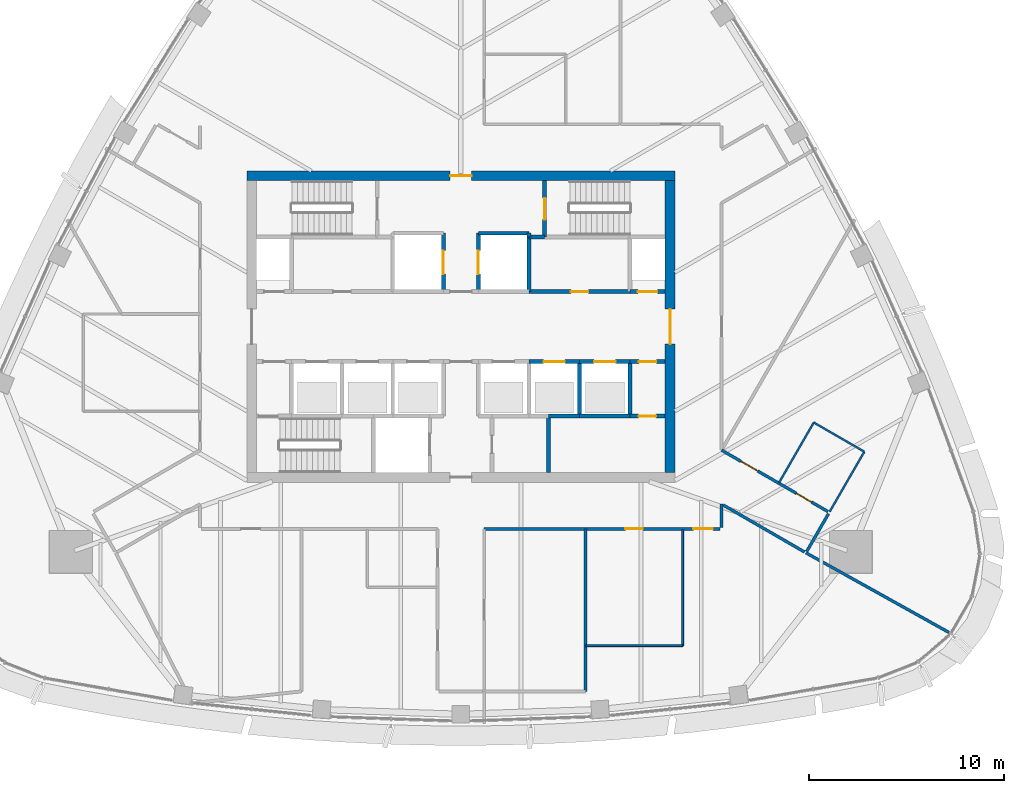
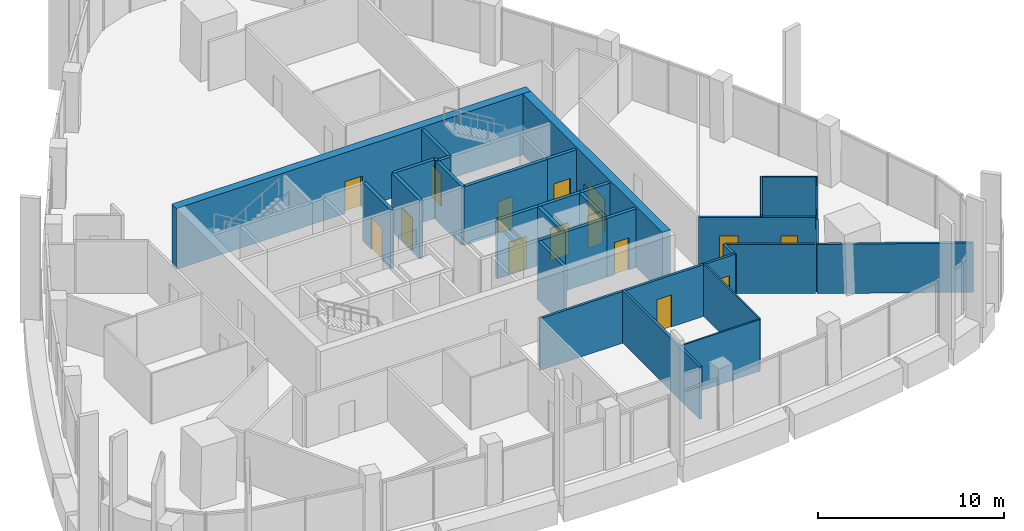
# One storey, part 10 of 19: 32 walls, 15 doors, 15 openings.
"""IFC4 building model written with IfcOpenShell, lengths in metres."""

from ifc_helpers import new_model, si_unit, direction, frame, frame_2d, origin, place, context, subcontext, project, spatial, rectangle, extrude, material, layer, layer_set, type_object, element, fill, save


model = new_model("IFC4")

# Units and contexts
model_context = context("Model", 3, precision=1e-05, world=origin(), true_north=direction((0.0, 1.0)))
body_context = subcontext(model_context, "Body", "Model", "MODEL_VIEW")
ifc_project = project(units=[si_unit("LENGTHUNIT", "METRE"), si_unit("AREAUNIT", "SQUARE_METRE"), si_unit("VOLUMEUNIT", "CUBIC_METRE"), si_unit("PLANEANGLEUNIT", "RADIAN"), si_unit("MASSUNIT", "GRAM", prefix="KILO")], contexts=[model_context])

# Site, building, storey
site_placement = place(None, origin())
site = spatial("IfcSite", under=ifc_project, at=site_placement, CompositionType="ELEMENT")
building_placement = place(site_placement, origin())
building = spatial("IfcBuilding", under=site, at=building_placement, Name="Sierra Prisma Convention Tower", CompositionType="ELEMENT")
storey_placement = place(building_placement, frame((0.0, 0.0, 311.0)))
storey = spatial("IfcBuildingStorey", under=building, at=storey_placement, Name="L71", CompositionType="ELEMENT", Elevation=311.0)

# Walls
ifc_material_1 = material(Name="Gypsum board partition", Category="gypsum")
ifc_layer_1 = layer(ifc_material_1, 0.10009765625)
ifc_layer_set_1 = layer_set([ifc_layer_1], Name="Bathroom partition 100")
wall_type_1 = type_object("IfcWallType", Name="Bathroom partition 100", PredefinedType="PARTITIONING", material=ifc_layer_set_1)
wall_1_placement = place(storey_placement, frame((11.39990234375, -10.429931640625, 0.0), z_axis=(0.0, 0.0, 1.0), x_axis=(0.0, -1.0, 0.0)))
element("IfcWall", 1, at=wall_1_placement, inside=storey, type_object=wall_type_1, Name="Partition L71 bath 8", PredefinedType="PARTITIONING", context=body_context, shape_type="SweptSolid", body=[
    extrude(rectangle(XDim=5.969970703125, YDim=0.10009765625, at=frame_2d((2.98486328125, 0.0))), origin(), (0.0, 0.0, 1.0), 3.449951171875),
])
wall_2_placement = place(storey_placement, frame((11.39990234375, -16.39990234375, 0.0), z_axis=(0.0, 0.0, 1.0), x_axis=(-1.0, 0.0, 0.0)))
element("IfcWall", 2, at=wall_2_placement, inside=storey, type_object=wall_type_1, Name="Partition L71 bath 9", PredefinedType="PARTITIONING", context=body_context, shape_type="SweptSolid", body=[
    extrude(rectangle(XDim=4.969970703125, YDim=0.10009765625, at=frame_2d((2.48486328125, 0.0))), origin(), (0.0, 0.0, 1.0), 3.39306640625),
])
wall_3_placement = place(storey_placement, frame((16.352294921875, -8.020751953125, 0.0), z_axis=(0.0, 0.0, 1.0), x_axis=(0.499971082179, 0.866042098853, 0.0)))
element("IfcWall", 3, at=wall_3_placement, inside=storey, type_object=wall_type_1, Name="Partition L71 bath 10", PredefinedType="PARTITIONING", context=body_context, shape_type="SweptSolid", body=[
    extrude(rectangle(XDim=3.570068359375, YDim=0.10009765625, at=frame_2d((1.78515625, 0.0))), origin(), (0.0, 0.0, 1.0), 3.449951171875),
])
wall_4_placement = place(storey_placement, frame((18.13720703125, -4.928955078125, 0.0), z_axis=(0.0, 0.0, 1.0), x_axis=(0.866031096941, -0.499990139034, 0.0)))
element("IfcWall", 4, at=wall_4_placement, inside=storey, type_object=wall_type_1, Name="Partition L71 bath 11", PredefinedType="PARTITIONING", context=body_context, shape_type="SweptSolid", body=[
    extrude(rectangle(XDim=3.0, YDim=0.10009765625, at=frame_2d((1.5, 0.0))), origin(), (0.0, 0.0, 1.0), 3.443115234375),
])
wall_5_placement = place(storey_placement, frame((20.7353515625, -6.428955078125, 0.0), z_axis=(0.0, 0.0, 1.0), x_axis=(-0.499971082179, -0.866042098853, 0.0)))
element("IfcWall", 5, at=wall_5_placement, inside=storey, type_object=wall_type_1, Name="Partition L71 bath 12", PredefinedType="PARTITIONING", context=body_context, shape_type="SweptSolid", body=[
    extrude(rectangle(XDim=3.570068359375, YDim=0.10009765625, at=frame_2d((1.78515625, 0.0))), origin(), (0.0, 0.0, 1.0), 3.449951171875),
])

# Wall, opening, door
ifc_material_2 = material(Name="Concrete C30/37", Category="concrete")
ifc_layer_2 = layer(ifc_material_2, 0.199951171875)
ifc_layer_set_2 = layer_set([ifc_layer_2], Name="Core wall RC 200 C30/37")
wall_type_2 = type_object("IfcWallType", Name="Core wall RC 200 C30/37", PredefinedType="SOLIDWALL", material=ifc_layer_set_2)
wall_6_placement = place(storey_placement, frame((-0.89990234375, 1.800048828125, 0.0), z_axis=(0.0, 0.0, 1.0), x_axis=(0.0, 1.0, 0.0)))
wall_6 = element("IfcWall", 6, at=wall_6_placement, inside=storey, type_object=wall_type_2, Name="Core wall L71 23", PredefinedType="SOLIDWALL", context=body_context, shape_type="SweptSolid", body=[
    extrude(rectangle(XDim=3.0, YDim=0.199951171875, at=frame_2d((1.5, 0.0))), origin(), (0.0, 0.0, 1.0), 3.85009765625),
])
opening_1_placement = place(wall_6_placement, frame((0.89990234375, 0.0, 0.0)))
opening_1 = element("IfcOpeningElement", 7, at=opening_1_placement, cuts=wall_6, Name="Opening L71-D007", PredefinedType="OPENING", context=body_context, shape_type="SweptSolid", body=[
    extrude(rectangle(XDim=1.199951171875, YDim=2.10009765625, at=frame_2d((0.60009765625, 1.050048828125))), frame((0.0, 0.10009765625, 0.0), z_axis=(0.0, -1.0, 0.0), x_axis=(1.0, 0.0, 0.0)), (0.0, 0.0, 1.0), 0.199951171875),
])
ifc_material_3 = material(Name="Steel fire door leaf", Category="steel")
door_type_1 = type_object("IfcDoorType", Name="Door 1200x2100 EI 90 sliding lift landing", OperationType="SLIDING_TO_LEFT", PredefinedType="DOOR", material=ifc_material_3)
door_1_placement = place(opening_1_placement, origin())
door_1 = element("IfcDoor", 8, at=door_1_placement, inside=storey, type_object=door_type_1, Name="Door L71 23", OperationType="SLIDING_TO_LEFT", OverallHeight=2.10009765625, OverallWidth=1.199951171875, PredefinedType="DOOR", context=body_context, shape_type="SweptSolid", body=[
    extrude(rectangle(XDim=1.199951171875, YDim=2.10009765625, at=frame_2d((0.60009765625, 1.050048828125))), frame((0.0, 0.02490234375, 0.0), z_axis=(0.0, -1.0, 0.0), x_axis=(1.0, 0.0, 0.0)), (0.0, 0.0, 1.0), 0.050048828125),
])
fill(opening_1, door_1)

# Walls
wall_7_placement = place(storey_placement, frame((3.5, 4.60009765625, 0.0), z_axis=(0.0, 0.0, 1.0), x_axis=(0.0, 1.0, 0.0)))
element("IfcWall", 9, at=wall_7_placement, inside=storey, type_object=wall_type_2, Name="Core wall L71 35", PredefinedType="SOLIDWALL", context=body_context, shape_type="SweptSolid", body=[
    extrude(rectangle(XDim=0.199951171875, YDim=0.199951171875, at=frame_2d((0.10009765625, 0.0))), origin(), (0.0, 0.0, 1.0), 3.85009765625),
])
wall_8_placement = place(storey_placement, frame((3.5, 4.800048828125, 0.0), z_axis=(0.0, 0.0, 1.0), x_axis=(-1.0, 0.0, 0.0)))
element("IfcWall", 10, at=wall_8_placement, inside=storey, type_object=wall_type_2, Name="Core wall L71 36", PredefinedType="SOLIDWALL", context=body_context, shape_type="SweptSolid", body=[
    extrude(rectangle(XDim=2.60009765625, YDim=0.199951171875, at=frame_2d((1.300048828125, 0.0))), origin(), (0.0, 0.0, 1.0), 3.85009765625),
])

# Wall, opening, door
wall_9_placement = place(storey_placement, frame((0.89990234375, 4.800048828125, 0.0), z_axis=(0.0, 0.0, 1.0), x_axis=(0.0, -1.0, 0.0)))
wall_9 = element("IfcWall", 11, at=wall_9_placement, inside=storey, type_object=wall_type_2, Name="Core wall L71 37", PredefinedType="SOLIDWALL", context=body_context, shape_type="SweptSolid", body=[
    extrude(rectangle(XDim=3.0, YDim=0.199951171875, at=frame_2d((1.5, 0.0))), origin(), (0.0, 0.0, 1.0), 3.85009765625),
])
opening_2_placement = place(wall_9_placement, frame((0.89990234375, 0.0, 0.0)))
opening_2 = element("IfcOpeningElement", 12, at=opening_2_placement, cuts=wall_9, Name="Opening L71-D008", PredefinedType="OPENING", context=body_context, shape_type="SweptSolid", body=[
    extrude(rectangle(XDim=1.199951171875, YDim=2.10009765625, at=frame_2d((0.60009765625, 1.050048828125))), frame((0.0, 0.10009765625, 0.0), z_axis=(0.0, -1.0, 0.0), x_axis=(1.0, 0.0, 0.0)), (0.0, 0.0, 1.0), 0.199951171875),
])
door_2_placement = place(opening_2_placement, origin())
door_2 = element("IfcDoor", 13, at=door_2_placement, inside=storey, type_object=door_type_1, Name="Door L71 24", OperationType="SLIDING_TO_LEFT", OverallHeight=2.10009765625, OverallWidth=1.199951171875, PredefinedType="DOOR", context=body_context, shape_type="SweptSolid", body=[
    extrude(rectangle(XDim=1.199951171875, YDim=2.10009765625, at=frame_2d((0.60009765625, 1.050048828125))), frame((0.0, 0.02490234375, 0.0), z_axis=(0.0, -1.0, 0.0), x_axis=(1.0, 0.0, 0.0)), (0.0, 0.0, 1.0), 0.050048828125),
])
fill(opening_2, door_2)

wall_10_placement = place(storey_placement, frame((3.5, -1.800048828125, 0.0), z_axis=(0.0, 0.0, 1.0), x_axis=(1.0, 0.0, 0.0)))
wall_10 = element("IfcWall", 14, at=wall_10_placement, inside=storey, type_object=wall_type_2, Name="Core wall L71 42", PredefinedType="SOLIDWALL", context=body_context, shape_type="SweptSolid", body=[
    extrude(rectangle(XDim=2.60009765625, YDim=0.199951171875, at=frame_2d((1.300048828125, 0.0))), origin(), (0.0, 0.0, 1.0), 3.85009765625),
])
opening_3_placement = place(wall_10_placement, frame((0.75, 0.0, 0.0)))
opening_3 = element("IfcOpeningElement", 15, at=opening_3_placement, cuts=wall_10, Name="Opening L71-D005", PredefinedType="OPENING", context=body_context, shape_type="SweptSolid", body=[
    extrude(rectangle(XDim=1.10009765625, YDim=2.10009765625, at=frame_2d((0.550048828125, 1.050048828125))), frame((0.0, 0.10009765625, 0.0), z_axis=(0.0, -1.0, 0.0), x_axis=(1.0, 0.0, 0.0)), (0.0, 0.0, 1.0), 0.199951171875),
])
ifc_material_4 = material(Name="Steel fire door leaf", Category="steel")
door_type_2 = type_object("IfcDoorType", Name="Door 1100x2100 EI 90 sliding lift landing", OperationType="SLIDING_TO_LEFT", PredefinedType="DOOR", material=ifc_material_4)
door_3_placement = place(opening_3_placement, origin())
door_3 = element("IfcDoor", 16, at=door_3_placement, inside=storey, type_object=door_type_2, Name="Door L71 21", OperationType="SLIDING_TO_LEFT", OverallHeight=2.10009765625, OverallWidth=1.10009765625, PredefinedType="DOOR", context=body_context, shape_type="SweptSolid", body=[
    extrude(rectangle(XDim=1.10009765625, YDim=2.10009765625, at=frame_2d((0.550048828125, 1.050048828125))), frame((0.0, 0.02490234375, 0.0), z_axis=(0.0, -1.0, 0.0), x_axis=(1.0, 0.0, 0.0)), (0.0, 0.0, 1.0), 0.050048828125),
])
fill(opening_3, door_3)

wall_11_placement = place(storey_placement, frame((3.5, 1.800048828125, 0.0), z_axis=(0.0, 0.0, 1.0), x_axis=(1.0, 0.0, 0.0)))
wall_11 = element("IfcWall", 17, at=wall_11_placement, inside=storey, type_object=wall_type_2, Name="Core wall L71 43", PredefinedType="SOLIDWALL", context=body_context, shape_type="SweptSolid", body=[
    extrude(rectangle(XDim=5.199951171875, YDim=0.199951171875, at=frame_2d((2.60009765625, 0.0))), origin(), (0.0, 0.0, 1.0), 3.85009765625),
])
opening_4_placement = place(wall_11_placement, frame((2.14990234375, 0.0, 0.0)))
opening_4 = element("IfcOpeningElement", 18, at=opening_4_placement, cuts=wall_11, Name="Opening L71-D018", PredefinedType="OPENING", context=body_context, shape_type="SweptSolid", body=[
    extrude(rectangle(XDim=0.89990234375, YDim=2.10009765625, at=frame_2d((0.449951171875, 1.050048828125))), frame((0.0, 0.10009765625, 0.0), z_axis=(0.0, -1.0, 0.0), x_axis=(1.0, 0.0, 0.0)), (0.0, 0.0, 1.0), 0.199951171875),
])
ifc_material_5 = material(Name="Steel fire door leaf", Category="steel")
door_type_3 = type_object("IfcDoorType", Name="Door 900x2100 FD30S", OperationType="SINGLE_SWING_LEFT", PredefinedType="DOOR", material=ifc_material_5)
door_4_placement = place(opening_4_placement, origin())
door_4 = element("IfcDoor", 19, at=door_4_placement, inside=storey, type_object=door_type_3, Name="Door L71 34", OperationType="SINGLE_SWING_RIGHT", OverallHeight=2.10009765625, OverallWidth=0.89990234375, PredefinedType="DOOR", context=body_context, shape_type="SweptSolid", body=[
    extrude(rectangle(XDim=0.89990234375, YDim=2.10009765625, at=frame_2d((0.449951171875, 1.050048828125))), frame((0.0, 0.02490234375, 0.0), z_axis=(0.0, -1.0, 0.0), x_axis=(1.0, 0.0, 0.0)), (0.0, 0.0, 1.0), 0.050048828125),
])
fill(opening_4, door_4)

# Walls
wall_12_placement = place(storey_placement, frame((3.5, 4.60009765625, 0.0), z_axis=(0.0, 0.0, 1.0), x_axis=(0.0, -1.0, 0.0)))
element("IfcWall", 20, at=wall_12_placement, inside=storey, type_object=wall_type_2, Name="Core wall L71 44", PredefinedType="SOLIDWALL", context=body_context, shape_type="SweptSolid", body=[
    extrude(rectangle(XDim=2.800048828125, YDim=0.199951171875, at=frame_2d((1.39990234375, 0.0))), origin(), (0.0, 0.0, 1.0), 3.85009765625),
])
wall_13_placement = place(storey_placement, frame((4.300048828125, 4.60009765625, 0.0), z_axis=(0.0, 0.0, 1.0), x_axis=(-1.0, 0.0, 0.0)))
element("IfcWall", 21, at=wall_13_placement, inside=storey, type_object=wall_type_2, Name="Core wall L71 45", PredefinedType="SOLIDWALL", context=body_context, shape_type="SweptSolid", body=[
    extrude(rectangle(XDim=0.800048828125, YDim=0.199951171875, at=frame_2d((0.39990234375, 0.0))), origin(), (0.0, 0.0, 1.0), 3.85009765625),
])

# Wall, opening, door
wall_14_placement = place(storey_placement, frame((4.300048828125, 7.5, 0.0), z_axis=(0.0, 0.0, 1.0), x_axis=(0.0, -1.0, 0.0)))
wall_14 = element("IfcWall", 22, at=wall_14_placement, inside=storey, type_object=wall_type_2, Name="Core wall L71 47", PredefinedType="SOLIDWALL", context=body_context, shape_type="SweptSolid", body=[
    extrude(rectangle(XDim=2.89990234375, YDim=0.199951171875, at=frame_2d((1.449951171875, 0.0))), origin(), (0.0, 0.0, 1.0), 3.85009765625),
])
opening_5_placement = place(wall_14_placement, frame((0.89990234375, 0.0, 0.0)))
opening_5 = element("IfcOpeningElement", 23, at=opening_5_placement, cuts=wall_14, Name="Opening L71-D017", PredefinedType="OPENING", context=body_context, shape_type="SweptSolid", body=[
    extrude(rectangle(XDim=1.10009765625, YDim=2.10009765625, at=frame_2d((0.550048828125, 1.050048828125))), frame((0.0, 0.10009765625, 0.0), z_axis=(0.0, -1.0, 0.0), x_axis=(1.0, 0.0, 0.0)), (0.0, 0.0, 1.0), 0.199951171875),
])
ifc_material_6 = material(Name="Steel fire door leaf", Category="steel")
door_type_4 = type_object("IfcDoorType", Name="Door 1100x2100 FD90S", OperationType="SINGLE_SWING_LEFT", PredefinedType="DOOR", material=ifc_material_6)
door_5_placement = place(opening_5_placement, origin())
door_5 = element("IfcDoor", 24, at=door_5_placement, inside=storey, type_object=door_type_4, Name="Door L71 33", OperationType="SINGLE_SWING_LEFT", OverallHeight=2.10009765625, OverallWidth=1.10009765625, PredefinedType="DOOR", context=body_context, shape_type="SweptSolid", body=[
    extrude(rectangle(XDim=1.10009765625, YDim=2.10009765625, at=frame_2d((0.550048828125, 1.050048828125))), frame((0.0, 0.02490234375, 0.0), z_axis=(0.0, -1.0, 0.0), x_axis=(1.0, 0.0, 0.0)), (0.0, 0.0, 1.0), 0.050048828125),
])
fill(opening_5, door_5)

# Walls
wall_15_placement = place(storey_placement, frame((4.5, -4.60009765625, 0.0), z_axis=(0.0, 0.0, 1.0), x_axis=(0.0, -1.0, 0.0)))
element("IfcWall", 25, at=wall_15_placement, inside=storey, type_object=wall_type_2, Name="Core wall L71 48", PredefinedType="SOLIDWALL", context=body_context, shape_type="SweptSolid", body=[
    extrude(rectangle(XDim=2.89990234375, YDim=0.199951171875, at=frame_2d((1.449951171875, 0.0))), origin(), (0.0, 0.0, 1.0), 3.85009765625),
])
wall_16_placement = place(storey_placement, frame((6.10009765625, -4.60009765625, 0.0), z_axis=(0.0, 0.0, 1.0), x_axis=(-1.0, 0.0, 0.0)))
element("IfcWall", 26, at=wall_16_placement, inside=storey, type_object=wall_type_2, Name="Core wall L71 49", PredefinedType="SOLIDWALL", context=body_context, shape_type="SweptSolid", body=[
    extrude(rectangle(XDim=1.60009765625, YDim=0.199951171875, at=frame_2d((0.800048828125, 0.0))), origin(), (0.0, 0.0, 1.0), 3.85009765625),
])
wall_17_placement = place(storey_placement, frame((8.699951171875, -4.60009765625, 0.0), z_axis=(0.0, 0.0, 1.0), x_axis=(-1.0, 0.0, 0.0)))
element("IfcWall", 27, at=wall_17_placement, inside=storey, type_object=wall_type_2, Name="Core wall L71 50", PredefinedType="SOLIDWALL", context=body_context, shape_type="SweptSolid", body=[
    extrude(rectangle(XDim=2.599853515625, YDim=0.199951171875, at=frame_2d((1.2998046875, 0.0))), origin(), (0.0, 0.0, 1.0), 3.85009765625),
])
wall_18_placement = place(storey_placement, frame((6.10009765625, -4.60009765625, 0.0), z_axis=(0.0, 0.0, 1.0), x_axis=(0.0, 1.0, 0.0)))
element("IfcWall", 28, at=wall_18_placement, inside=storey, type_object=wall_type_2, Name="Core wall L71 51", PredefinedType="SOLIDWALL", context=body_context, shape_type="SweptSolid", body=[
    extrude(rectangle(XDim=2.800048828125, YDim=0.199951171875, at=frame_2d((1.39990234375, 0.0))), origin(), (0.0, 0.0, 1.0), 3.85009765625),
])

# Wall, opening, door
wall_19_placement = place(storey_placement, frame((6.10009765625, -1.800048828125, 0.0), z_axis=(0.0, 0.0, 1.0), x_axis=(1.0, 0.0, 0.0)))
wall_19 = element("IfcWall", 29, at=wall_19_placement, inside=storey, type_object=wall_type_2, Name="Core wall L71 52", PredefinedType="SOLIDWALL", context=body_context, shape_type="SweptSolid", body=[
    extrude(rectangle(XDim=2.599853515625, YDim=0.199951171875, at=frame_2d((1.2998046875, 0.0))), origin(), (0.0, 0.0, 1.0), 3.85009765625),
])
opening_6_placement = place(wall_19_placement, frame((0.75, 0.0, 0.0)))
opening_6 = element("IfcOpeningElement", 30, at=opening_6_placement, cuts=wall_19, Name="Opening L71-D006", PredefinedType="OPENING", context=body_context, shape_type="SweptSolid", body=[
    extrude(rectangle(XDim=1.10009765625, YDim=2.10009765625, at=frame_2d((0.550048828125, 1.050048828125))), frame((0.0, 0.10009765625, 0.0), z_axis=(0.0, -1.0, 0.0), x_axis=(1.0, 0.0, 0.0)), (0.0, 0.0, 1.0), 0.199951171875),
])
door_6_placement = place(opening_6_placement, origin())
door_6 = element("IfcDoor", 31, at=door_6_placement, inside=storey, type_object=door_type_2, Name="Door L71 22", OperationType="SLIDING_TO_LEFT", OverallHeight=2.10009765625, OverallWidth=1.10009765625, PredefinedType="DOOR", context=body_context, shape_type="SweptSolid", body=[
    extrude(rectangle(XDim=1.10009765625, YDim=2.10009765625, at=frame_2d((0.550048828125, 1.050048828125))), frame((0.0, 0.02490234375, 0.0), z_axis=(0.0, -1.0, 0.0), x_axis=(1.0, 0.0, 0.0)), (0.0, 0.0, 1.0), 0.050048828125),
])
fill(opening_6, door_6)

wall_20_placement = place(storey_placement, frame((10.5, -4.60009765625, 0.0), z_axis=(0.0, 0.0, 1.0), x_axis=(-1.0, 0.0, 0.0)))
wall_20 = element("IfcWall", 32, at=wall_20_placement, inside=storey, type_object=wall_type_2, Name="Core wall L71 53", PredefinedType="SOLIDWALL", context=body_context, shape_type="SweptSolid", body=[
    extrude(rectangle(XDim=1.800048828125, YDim=0.199951171875, at=frame_2d((0.89990234375, 0.0))), origin(), (0.0, 0.0, 1.0), 3.85009765625),
])
opening_7_placement = place(wall_20_placement, frame((0.4599609375, 0.0, 0.0)))
opening_7 = element("IfcOpeningElement", 33, at=opening_7_placement, cuts=wall_20, Name="Opening L71-D020", PredefinedType="OPENING", context=body_context, shape_type="SweptSolid", body=[
    extrude(rectangle(XDim=0.89990234375, YDim=2.10009765625, at=frame_2d((0.449951171875, 1.050048828125))), frame((0.0, 0.10009765625, 0.0), z_axis=(0.0, -1.0, 0.0), x_axis=(1.0, 0.0, 0.0)), (0.0, 0.0, 1.0), 0.199951171875),
])
door_7_placement = place(opening_7_placement, origin())
door_7 = element("IfcDoor", 34, at=door_7_placement, inside=storey, type_object=door_type_3, Name="Door L71 36", OperationType="SINGLE_SWING_LEFT", OverallHeight=2.10009765625, OverallWidth=0.89990234375, PredefinedType="DOOR", context=body_context, shape_type="SweptSolid", body=[
    extrude(rectangle(XDim=0.89990234375, YDim=2.10009765625, at=frame_2d((0.449951171875, 1.050048828125))), frame((0.0, 0.02490234375, 0.0), z_axis=(0.0, -1.0, 0.0), x_axis=(1.0, 0.0, 0.0)), (0.0, 0.0, 1.0), 0.050048828125),
])
fill(opening_7, door_7)

# Wall
wall_21_placement = place(storey_placement, frame((8.699951171875, -1.800048828125, 0.0), z_axis=(0.0, 0.0, 1.0), x_axis=(0.0, -1.0, 0.0)))
element("IfcWall", 35, at=wall_21_placement, inside=storey, type_object=wall_type_2, Name="Core wall L71 54", PredefinedType="SOLIDWALL", context=body_context, shape_type="SweptSolid", body=[
    extrude(rectangle(XDim=2.800048828125, YDim=0.199951171875, at=frame_2d((1.39990234375, 0.0))), origin(), (0.0, 0.0, 1.0), 3.85009765625),
])

# Wall, opening, door
wall_22_placement = place(storey_placement, frame((8.699951171875, -1.800048828125, 0.0), z_axis=(0.0, 0.0, 1.0), x_axis=(1.0, 0.0, 0.0)))
wall_22 = element("IfcWall", 36, at=wall_22_placement, inside=storey, type_object=wall_type_2, Name="Core wall L71 55", PredefinedType="SOLIDWALL", context=body_context, shape_type="SweptSolid", body=[
    extrude(rectangle(XDim=1.800048828125, YDim=0.199951171875, at=frame_2d((0.89990234375, 0.0))), origin(), (0.0, 0.0, 1.0), 3.85009765625),
])
opening_8_placement = place(wall_22_placement, frame((0.449951171875, 0.0, 0.0)))
opening_8 = element("IfcOpeningElement", 37, at=opening_8_placement, cuts=wall_22, Name="Opening L71-D021", PredefinedType="OPENING", context=body_context, shape_type="SweptSolid", body=[
    extrude(rectangle(XDim=0.89990234375, YDim=2.10009765625, at=frame_2d((0.449951171875, 1.050048828125))), frame((0.0, 0.10009765625, 0.0), z_axis=(0.0, -1.0, 0.0), x_axis=(1.0, 0.0, 0.0)), (0.0, 0.0, 1.0), 0.199951171875),
])
door_8_placement = place(opening_8_placement, origin())
door_8 = element("IfcDoor", 38, at=door_8_placement, inside=storey, type_object=door_type_3, Name="Door L71 37", OperationType="SINGLE_SWING_RIGHT", OverallHeight=2.10009765625, OverallWidth=0.89990234375, PredefinedType="DOOR", context=body_context, shape_type="SweptSolid", body=[
    extrude(rectangle(XDim=0.89990234375, YDim=2.10009765625, at=frame_2d((0.449951171875, 1.050048828125))), frame((0.0, 0.02490234375, 0.0), z_axis=(0.0, -1.0, 0.0), x_axis=(1.0, 0.0, 0.0)), (0.0, 0.0, 1.0), 0.050048828125),
])
fill(opening_8, door_8)

wall_23_placement = place(storey_placement, frame((10.5, 1.800048828125, 0.0), z_axis=(0.0, 0.0, 1.0), x_axis=(-1.0, 0.0, 0.0)))
wall_23 = element("IfcWall", 39, at=wall_23_placement, inside=storey, type_object=wall_type_2, Name="Core wall L71 56", PredefinedType="SOLIDWALL", context=body_context, shape_type="SweptSolid", body=[
    extrude(rectangle(XDim=1.800048828125, YDim=0.199951171875, at=frame_2d((0.89990234375, 0.0))), origin(), (0.0, 0.0, 1.0), 3.85009765625),
])
opening_9_placement = place(wall_23_placement, frame((0.39990234375, 0.0, 0.0)))
opening_9 = element("IfcOpeningElement", 40, at=opening_9_placement, cuts=wall_23, Name="Opening L71-D014", PredefinedType="OPENING", context=body_context, shape_type="SweptSolid", body=[
    extrude(rectangle(XDim=1.0, YDim=2.10009765625, at=frame_2d((0.5, 1.050048828125))), frame((0.0, 0.10009765625, 0.0), z_axis=(0.0, -1.0, 0.0), x_axis=(1.0, 0.0, 0.0)), (0.0, 0.0, 1.0), 0.199951171875),
])
ifc_material_7 = material(Name="Steel fire door leaf", Category="steel")
door_type_5 = type_object("IfcDoorType", Name="Door 1000x2100 FD60S", OperationType="SINGLE_SWING_LEFT", PredefinedType="DOOR", material=ifc_material_7)
door_9_placement = place(opening_9_placement, origin())
door_9 = element("IfcDoor", 41, at=door_9_placement, inside=storey, type_object=door_type_5, Name="Door L71 30", OperationType="SINGLE_SWING_RIGHT", OverallHeight=2.10009765625, OverallWidth=1.0, PredefinedType="DOOR", context=body_context, shape_type="SweptSolid", body=[
    extrude(rectangle(XDim=1.0, YDim=2.10009765625, at=frame_2d((0.5, 1.050048828125))), frame((0.0, 0.02490234375, 0.0), z_axis=(0.0, -1.0, 0.0), x_axis=(1.0, 0.0, 0.0)), (0.0, 0.0, 1.0), 0.050048828125),
])
fill(opening_9, door_9)

ifc_material_8 = material(Name="Concrete C50/60", Category="concrete")
ifc_layer_3 = layer(ifc_material_8, 0.5)
ifc_layer_set_3 = layer_set([ifc_layer_3], Name="Core wall RC 500 C50/60")
wall_type_3 = type_object("IfcWallType", Name="Core wall RC 500 C50/60", PredefinedType="SHEAR", material=ifc_layer_set_3)
wall_24_placement = place(storey_placement, frame((-11.0, 7.75, 0.0), z_axis=(0.0, 0.0, 1.0), x_axis=(1.0, 0.0, 0.0)))
wall_24 = element("IfcWall", 42, at=wall_24_placement, inside=storey, type_object=wall_type_3, Name="Core wall N L71", PredefinedType="SHEAR", context=body_context, shape_type="SweptSolid", body=[
    extrude(rectangle(XDim=22.0, YDim=0.5, at=frame_2d((11.0, 0.0))), origin(), (0.0, 0.0, 1.0), 4.0),
])
opening_10_placement = place(wall_24_placement, frame((10.449951171875, 0.0, 0.0)))
opening_10 = element("IfcOpeningElement", 43, at=opening_10_placement, cuts=wall_24, Name="Opening L71-D040", PredefinedType="OPENING", context=body_context, shape_type="SweptSolid", body=[
    extrude(rectangle(XDim=1.10009765625, YDim=2.10009765625, at=frame_2d((0.550048828125, 1.050048828125))), frame((0.0, 0.25, 0.0), z_axis=(0.0, -1.0, 0.0), x_axis=(1.0, 0.0, 0.0)), (0.0, 0.0, 1.0), 0.5),
])
ifc_material_9 = material(Name="Steel fire door leaf", Category="steel")
door_type_6 = type_object("IfcDoorType", Name="Door 1100x2100 FD60S", OperationType="SINGLE_SWING_LEFT", PredefinedType="DOOR", material=ifc_material_9)
door_10_placement = place(opening_10_placement, origin())
door_10 = element("IfcDoor", 44, at=door_10_placement, inside=storey, type_object=door_type_6, Name="Door L71 41", OperationType="SINGLE_SWING_LEFT", OverallHeight=2.10009765625, OverallWidth=1.10009765625, PredefinedType="DOOR", context=body_context, shape_type="SweptSolid", body=[
    extrude(rectangle(XDim=1.10009765625, YDim=2.10009765625, at=frame_2d((0.550048828125, 1.050048828125))), frame((0.0, 0.02490234375, 0.0), z_axis=(0.0, -1.0, 0.0), x_axis=(1.0, 0.0, 0.0)), (0.0, 0.0, 1.0), 0.050048828125),
])
fill(opening_10, door_10)

wall_25_placement = place(storey_placement, frame((10.75, -7.5, 0.0), z_axis=(0.0, 0.0, 1.0), x_axis=(0.0, 1.0, 0.0)))
wall_25 = element("IfcWall", 45, at=wall_25_placement, inside=storey, type_object=wall_type_3, Name="Core wall E L71", PredefinedType="SHEAR", context=body_context, shape_type="SweptSolid", body=[
    extrude(rectangle(XDim=15.0, YDim=0.5, at=frame_2d((7.5, 0.0))), origin(), (0.0, 0.0, 1.0), 4.0),
])
opening_11_placement = place(wall_25_placement, frame((6.60009765625, 0.0, 0.0)))
opening_11 = element("IfcOpeningElement", 46, at=opening_11_placement, cuts=wall_25, Name="Opening L71-D039", PredefinedType="OPENING", context=body_context, shape_type="SweptSolid", body=[
    extrude(rectangle(XDim=1.800048828125, YDim=2.10009765625, at=frame_2d((0.89990234375, 1.050048828125))), frame((0.0, 0.25, 0.0), z_axis=(0.0, -1.0, 0.0), x_axis=(1.0, 0.0, 0.0)), (0.0, 0.0, 1.0), 0.5),
])
ifc_material_10 = material(Name="Steel fire door leaf", Category="steel")
door_type_7 = type_object("IfcDoorType", Name="Door 1800x2100 FD60S", OperationType="DOUBLE_DOOR_SINGLE_SWING", PredefinedType="DOOR", material=ifc_material_10)
door_11_placement = place(opening_11_placement, origin())
door_11 = element("IfcDoor", 47, at=door_11_placement, inside=storey, type_object=door_type_7, Name="Door L71 40", OperationType="DOUBLE_DOOR_SINGLE_SWING", OverallHeight=2.10009765625, OverallWidth=1.800048828125, PredefinedType="DOOR", context=body_context, shape_type="SweptSolid", body=[
    extrude(rectangle(XDim=1.800048828125, YDim=2.10009765625, at=frame_2d((0.89990234375, 1.050048828125))), frame((0.0, 0.02490234375, 0.0), z_axis=(0.0, -1.0, 0.0), x_axis=(1.0, 0.0, 0.0)), (0.0, 0.0, 1.0), 0.050048828125),
])
fill(opening_11, door_11)

# Wall, openings, doors
ifc_material_11 = material(Name="Gypsum board partition", Category="gypsum")
ifc_layer_4 = layer(ifc_material_11, 0.14990234375)
ifc_layer_set_4 = layer_set([ifc_layer_4], Name="Corridor wall 150 gypsum EI 60")
wall_type_4 = type_object("IfcWallType", Name="Corridor wall 150 gypsum EI 60", PredefinedType="PARTITIONING", material=ifc_layer_set_4)
wall_26_placement = place(storey_placement, frame((1.199951171875, -10.39990234375, 0.0), z_axis=(0.0, 0.0, 1.0), x_axis=(1.0, 0.0, 0.0)))
wall_26 = element("IfcWall", 48, at=wall_26_placement, inside=storey, type_object=wall_type_4, Name="Partition L71 corr 15", PredefinedType="PARTITIONING", context=body_context, shape_type="SweptSolid", body=[
    extrude(rectangle(XDim=12.1201171875, YDim=0.14990234375, at=frame_2d((6.06005859375, 0.0))), origin(), (0.0, 0.0, 1.0), 3.39306640625),
])
opening_12_placement = place(wall_26_placement, frame((7.25, 0.0, 0.0)))
opening_12 = element("IfcOpeningElement", 49, at=opening_12_placement, cuts=wall_26, Name="Opening L71-D035", PredefinedType="OPENING", context=body_context, shape_type="SweptSolid", body=[
    extrude(rectangle(XDim=0.89990234375, YDim=2.10009765625, at=frame_2d((0.449951171875, 1.050048828125))), frame((0.0, 0.074951171875, 0.0), z_axis=(0.0, -1.0, 0.0), x_axis=(1.0, 0.0, 0.0)), (0.0, 0.0, 1.0), 0.14990234375),
])
opening_13_placement = place(wall_26_placement, frame((10.75, 0.0, 0.0)))
opening_13 = element("IfcOpeningElement", 50, at=opening_13_placement, cuts=wall_26, Name="Opening L71-D036", PredefinedType="OPENING", context=body_context, shape_type="SweptSolid", body=[
    extrude(rectangle(XDim=1.0, YDim=2.10009765625, at=frame_2d((0.5, 1.050048828125))), frame((0.0, 0.074951171875, 0.0), z_axis=(0.0, -1.0, 0.0), x_axis=(1.0, 0.0, 0.0)), (0.0, 0.0, 1.0), 0.14990234375),
])
ifc_material_12 = material(Name="Steel fire door leaf", Category="steel")
door_type_8 = type_object("IfcDoorType", Name="Door 1000x2100 FD30S", OperationType="SINGLE_SWING_LEFT", PredefinedType="DOOR", material=ifc_material_12)
door_12_placement = place(opening_13_placement, origin())
door_12 = element("IfcDoor", 51, at=door_12_placement, inside=storey, type_object=door_type_8, Name="Door L71 14", OperationType="SINGLE_SWING_RIGHT", OverallHeight=2.10009765625, OverallWidth=1.0, PredefinedType="DOOR", context=body_context, shape_type="SweptSolid", body=[
    extrude(rectangle(XDim=1.0, YDim=2.10009765625, at=frame_2d((0.5, 1.050048828125))), frame((0.0, 0.02490234375, 0.0), z_axis=(0.0, -1.0, 0.0), x_axis=(1.0, 0.0, 0.0)), (0.0, 0.0, 1.0), 0.050048828125),
])
fill(opening_13, door_12)
door_13_placement = place(opening_12_placement, origin())
door_13 = element("IfcDoor", 52, at=door_13_placement, inside=storey, type_object=door_type_3, Name="Door L71 13", OperationType="SINGLE_SWING_RIGHT", OverallHeight=2.10009765625, OverallWidth=0.89990234375, PredefinedType="DOOR", context=body_context, shape_type="SweptSolid", body=[
    extrude(rectangle(XDim=0.89990234375, YDim=2.10009765625, at=frame_2d((0.449951171875, 1.050048828125))), frame((0.0, 0.02490234375, 0.0), z_axis=(0.0, -1.0, 0.0), x_axis=(1.0, 0.0, 0.0)), (0.0, 0.0, 1.0), 0.050048828125),
])
fill(opening_12, door_13)

# Walls
wall_27_placement = place(storey_placement, frame((13.39990234375, -10.320068359375, 0.0), z_axis=(0.0, 0.0, 1.0), x_axis=(0.0, 1.0, 0.0)))
element("IfcWall", 53, at=wall_27_placement, inside=storey, type_object=wall_type_4, Name="Partition L71 corr 19", PredefinedType="PARTITIONING", context=body_context, shape_type="SweptSolid", body=[
    extrude(rectangle(XDim=1.197998046875, YDim=0.14990234375, at=frame_2d((0.59912109375, 0.0))), origin(), (0.0, 0.0, 1.0), 3.23291015625),
])
wall_28_placement = place(storey_placement, frame((13.479248046875, -9.16796875, 0.0), z_axis=(0.0, 0.0, 1.0), x_axis=(0.866024961331, -0.50000076635, 0.0)))
element("IfcWall", 54, at=wall_28_placement, inside=storey, type_object=wall_type_4, Name="Partition L71 corr 20", PredefinedType="PARTITIONING", context=body_context, shape_type="SweptSolid", body=[
    extrude(rectangle(XDim=4.83447265625, YDim=0.14990234375, at=frame_2d((2.417236328125, 0.0))), origin(), (0.0, 0.0, 1.0), 3.23291015625),
])

# Wall, openings, doors
wall_29_placement = place(storey_placement, frame((18.8662109375, -9.506591796875, 0.0), z_axis=(0.0, 0.0, 1.0), x_axis=(-0.866040017224, 0.499974687925, 0.0)))
wall_29 = element("IfcWall", 55, at=wall_29_placement, inside=storey, type_object=wall_type_4, Name="Partition L71 corr 23", PredefinedType="PARTITIONING", context=body_context, shape_type="SweptSolid", body=[
    extrude(rectangle(XDim=6.311767578125, YDim=0.14990234375, at=frame_2d((3.15576171875, 0.0))), origin(), (0.0, 0.0, 1.0), 3.31689453125),
])
opening_14_placement = place(wall_29_placement, frame((0.969970703125, 0.0, 0.0)))
opening_14 = element("IfcOpeningElement", 56, at=opening_14_placement, cuts=wall_29, Name="Opening L71-D037", PredefinedType="OPENING", context=body_context, shape_type="SweptSolid", body=[
    extrude(rectangle(XDim=0.89990234375, YDim=2.10009765625, at=frame_2d((0.449951171875, 1.050048828125))), frame((0.0, 0.074951171875, 0.0), z_axis=(0.0, -1.0, 0.0), x_axis=(1.0, 0.0, 0.0)), (0.0, 0.0, 1.0), 0.14990234375),
])
opening_15_placement = place(wall_29_placement, frame((4.166015625, 0.0, 0.0)))
opening_15 = element("IfcOpeningElement", 57, at=opening_15_placement, cuts=wall_29, Name="Opening L71-D038", PredefinedType="OPENING", context=body_context, shape_type="SweptSolid", body=[
    extrude(rectangle(XDim=1.0, YDim=2.10009765625, at=frame_2d((0.5, 1.050048828125))), frame((0.0, 0.074951171875, 0.0), z_axis=(0.0, -1.0, 0.0), x_axis=(1.0, 0.0, 0.0)), (0.0, 0.0, 1.0), 0.14990234375),
])
door_14_placement = place(opening_15_placement, origin())
door_14 = element("IfcDoor", 58, at=door_14_placement, inside=storey, type_object=door_type_8, Name="Door L71 16", OperationType="SINGLE_SWING_LEFT", OverallHeight=2.10009765625, OverallWidth=1.0, PredefinedType="DOOR", context=body_context, shape_type="SweptSolid", body=[
    extrude(rectangle(XDim=1.0, YDim=2.10009765625, at=frame_2d((0.5, 1.050048828125))), frame((0.0, 0.02490234375, 0.0), z_axis=(0.0, -1.0, 0.0), x_axis=(1.0, 0.0, 0.0)), (0.0, 0.0, 1.0), 0.050048828125),
])
fill(opening_15, door_14)
door_15_placement = place(opening_14_placement, origin())
door_15 = element("IfcDoor", 59, at=door_15_placement, inside=storey, type_object=door_type_3, Name="Door L71 15", OperationType="SINGLE_SWING_LEFT", OverallHeight=2.10009765625, OverallWidth=0.89990234375, PredefinedType="DOOR", context=body_context, shape_type="SweptSolid", body=[
    extrude(rectangle(XDim=0.89990234375, YDim=2.10009765625, at=frame_2d((0.449951171875, 1.050048828125))), frame((0.0, 0.02490234375, 0.0), z_axis=(0.0, -1.0, 0.0), x_axis=(1.0, 0.0, 0.0)), (0.0, 0.0, 1.0), 0.050048828125),
])
fill(opening_14, door_15)

# Walls
wall_30_placement = place(storey_placement, frame((17.775390625, -11.555908203125, 0.0), z_axis=(0.0, 0.0, 1.0), x_axis=(0.500030632641, 0.866007717299, 0.0)))
element("IfcWall", 60, at=wall_30_placement, inside=storey, type_object=wall_type_4, Name="Partition L71 corr 27", PredefinedType="PARTITIONING", context=body_context, shape_type="SweptSolid", body=[
    extrude(rectangle(XDim=2.239990234375, YDim=0.14990234375, at=frame_2d((1.1201171875, 0.0))), origin(), (0.0, 0.0, 1.0), 3.23291015625),
])
ifc_material_13 = material(Name="Gypsum board partition", Category="gypsum")
ifc_layer_5 = layer(ifc_material_13, 0.14990234375)
ifc_layer_set_5 = layer_set([ifc_layer_5], Name="Party wall 150 gypsum")
wall_type_5 = type_object("IfcWallType", Name="Party wall 150 gypsum", PredefinedType="PARTITIONING", material=ifc_layer_set_5)
wall_31_placement = place(storey_placement, frame((6.39990234375, -10.39990234375, 0.0), z_axis=(0.0, 0.0, 1.0), x_axis=(0.0, -1.0, 0.0)))
element("IfcWall", 61, at=wall_31_placement, inside=storey, type_object=wall_type_5, Name="Partition L71 party 8", PredefinedType="PARTITIONING", context=body_context, shape_type="SweptSolid", body=[
    extrude(rectangle(XDim=8.3486328125, YDim=0.14990234375, at=frame_2d((4.17431640625, 0.0))), origin(), (0.0, 0.0, 1.0), 3.449951171875),
])
wall_32_placement = place(storey_placement, frame((17.7353515625, -11.625244140625, 0.0), z_axis=(0.0, 0.0, 1.0), x_axis=(0.873657303836, -0.486541792094, 0.0)))
element("IfcWall", 62, at=wall_32_placement, inside=storey, type_object=wall_type_5, Name="Partition L71 party 16", PredefinedType="PARTITIONING", context=body_context, shape_type="SweptSolid", body=[
    extrude(rectangle(XDim=8.4150390625, YDim=0.14990234375, at=frame_2d((4.20751953125, 0.0))), origin(), (0.0, 0.0, 1.0), 3.23388671875),
])

save(model, "model.ifc")
